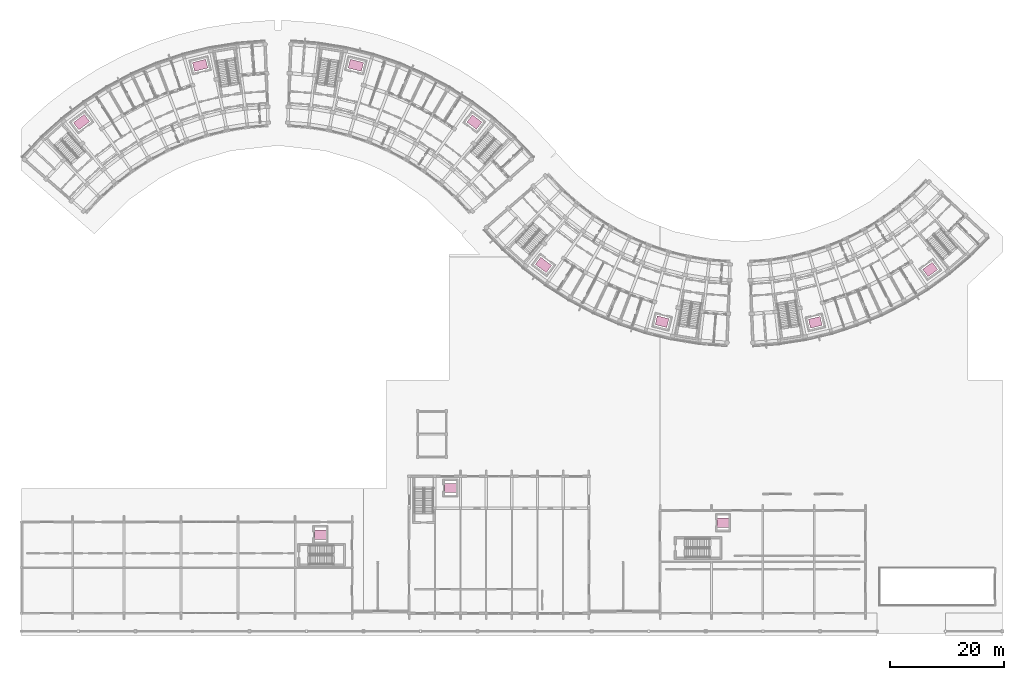
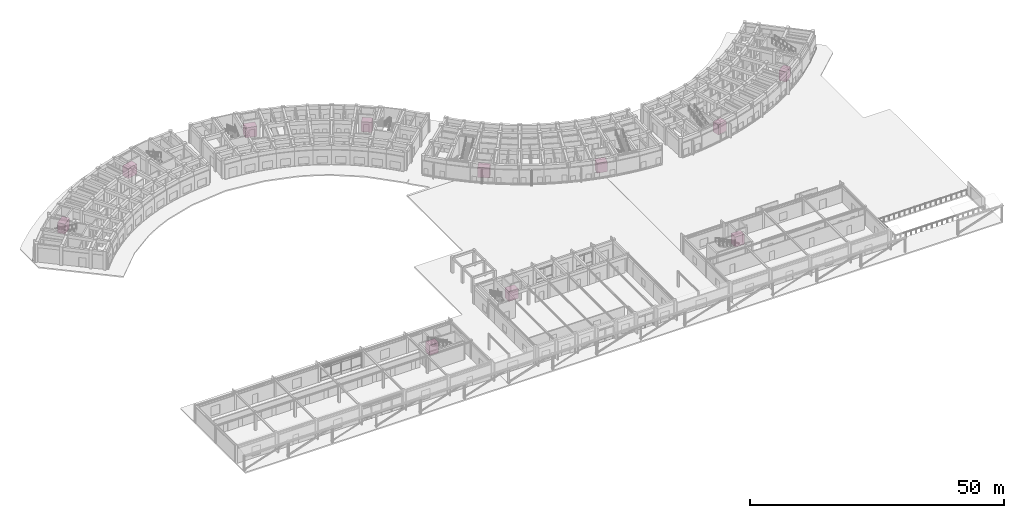
# One storey, part 61 of 61: 11 transport elements.
"""IFC4 building model written with IfcOpenShell, lengths in metres."""

from ifc_helpers import new_model, si_unit, direction, frame, origin, origin_2d, place, context, subcontext, project, spatial, rectangle, extrude, material, type_object, element, save


model = new_model("IFC4")

# Units and contexts
model_context = context("Model", 3, precision=1e-05, world=origin(), true_north=direction((0.0, 1.0)))
body_context = subcontext(model_context, "Body", "Model", "MODEL_VIEW")
ifc_project = project(units=[si_unit("LENGTHUNIT", "METRE"), si_unit("AREAUNIT", "SQUARE_METRE"), si_unit("VOLUMEUNIT", "CUBIC_METRE"), si_unit("PLANEANGLEUNIT", "RADIAN"), si_unit("MASSUNIT", "GRAM", prefix="KILO")], contexts=[model_context])

# Site, building, storey
site_placement = place(None, origin())
site = spatial("IfcSite", under=ifc_project, at=site_placement, CompositionType="ELEMENT")
building_placement = place(site_placement, origin())
building = spatial("IfcBuilding", under=site, at=building_placement, Name="Zimvara Arc Housing Community", CompositionType="ELEMENT")
storey_placement = place(building_placement, origin())
storey = spatial("IfcBuildingStorey", under=building, at=storey_placement, Name="L00", CompositionType="ELEMENT", Elevation=0.0)

# Transport elements
ifc_material_1 = material(Name="Anodised Aluminium AW-6063", Category="aluminium")
transport_element_type_1 = type_object("IfcTransportElementType", Name="LFT-CIV-1000", PredefinedType="ELEVATOR", material=ifc_material_1)
for number, where, z_axis, x_axis, name in (
    (1, (75.219970703125, 25.570068359375, 0.0), (0.0, 0.0, 1.0), (1.0, 0.0, 0.0), "Lift LP-H1"),
    (2, (123.02001953125, 19.469970703125, 0.0), (0.0, 0.0, 1.0), (1.0, 0.0, 0.0), "Lift LP-N1"),
    (3, (52.419921875, 17.3701171875, 0.0), (0.0, 0.0, 1.0), (1.0, 0.0, 0.0), "Lift LP-S1"),
):
    element("IfcTransportElement", number, at=place(storey_placement, frame(where, z_axis=z_axis, x_axis=x_axis)), inside=storey, type_object=transport_element_type_1, Name=name, PredefinedType="ELEVATOR", context=body_context, shape_type="SweptSolid", body=[
        extrude(rectangle(XDim=2.10009765625, YDim=1.60009765625, at=origin_2d()), origin(), (0.0, 0.0, 1.0), 2.39990234375),
    ])
ifc_material_2 = material(Name="Anodised Aluminium AW-6063", Category="aluminium")
transport_element_type_2 = type_object("IfcTransportElementType", Name="LFT-FF-1275", PredefinedType="ELEVATOR", material=ifc_material_2)
for number, where, z_axis, x_axis, name in (
    (4, (10.567626953125, 89.69873046875, 0.0), (0.0, 0.0, 1.0), (-0.605988400266, 0.795473480855, 0.0), "Lift LF-A1"),
    (5, (31.350341796875, 99.656005859375, 0.0), (0.0, 0.0, 1.0), (-0.240228042477, 0.970716481578, 0.0), "Lift LF-A2"),
    (6, (58.649658203125, 99.656005859375, 0.0), (0.0, 0.0, 1.0), (0.240228042477, 0.970716481578, 0.0), "Lift LF-B1"),
    (7, (91.5478515625, 64.6611328125, 0.0), (0.0, 0.0, 1.0), (-0.605988400266, -0.795473480855, 0.0), "Lift LF-C1"),
):
    element("IfcTransportElement", number, at=place(storey_placement, frame(where, z_axis=z_axis, x_axis=x_axis)), inside=storey, type_object=transport_element_type_2, Name=name, PredefinedType="ELEVATOR", context=body_context, shape_type="SweptSolid", body=[
        extrude(rectangle(XDim=1.60009765625, YDim=2.39990234375, at=origin_2d()), origin(), (0.0, 0.0, 1.0), 2.39990234375),
    ])
ifc_material_3 = material(Name="Anodised Aluminium AW-6063", Category="aluminium")
transport_element_type_3 = type_object("IfcTransportElementType", Name="LFT-PAX-1000", PredefinedType="ELEVATOR", material=ifc_material_3)
for number, where, z_axis, x_axis, name in (
    (8, (79.432373046875, 89.69873046875, 0.0), (0.0, 0.0, 1.0), (0.605988400266, 0.795473480855, 0.0), "Lift LP-B2"),
    (9, (112.330322265625, 54.703857421875, 0.0), (0.0, 0.0, 1.0), (-0.240228042477, -0.970716481578, 0.0), "Lift LP-C2"),
    (10, (139.196044921875, 54.598388671875, 0.0), (0.0, 0.0, 1.0), (0.232596722241, -0.972573269632, 0.0), "Lift LP-D1"),
    (11, (159.337890625, 63.862548828125, 0.0), (0.0, 0.0, 1.0), (0.587079028057, -0.809529625656, 0.0), "Lift LP-D2"),
):
    element("IfcTransportElement", number, at=place(storey_placement, frame(where, z_axis=z_axis, x_axis=x_axis)), inside=storey, type_object=transport_element_type_3, Name=name, PredefinedType="ELEVATOR", context=body_context, shape_type="SweptSolid", body=[
        extrude(rectangle(XDim=1.60009765625, YDim=2.10009765625, at=origin_2d()), origin(), (0.0, 0.0, 1.0), 2.39990234375),
    ])

save(model, "model.ifc")
